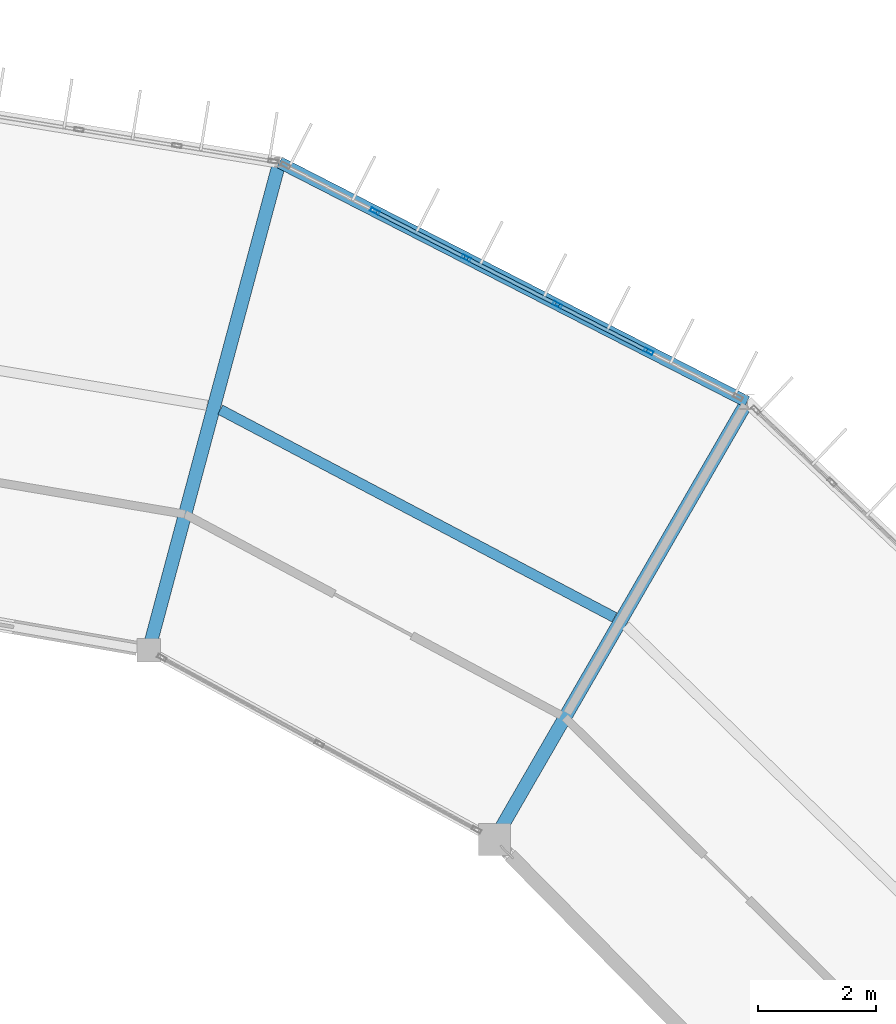
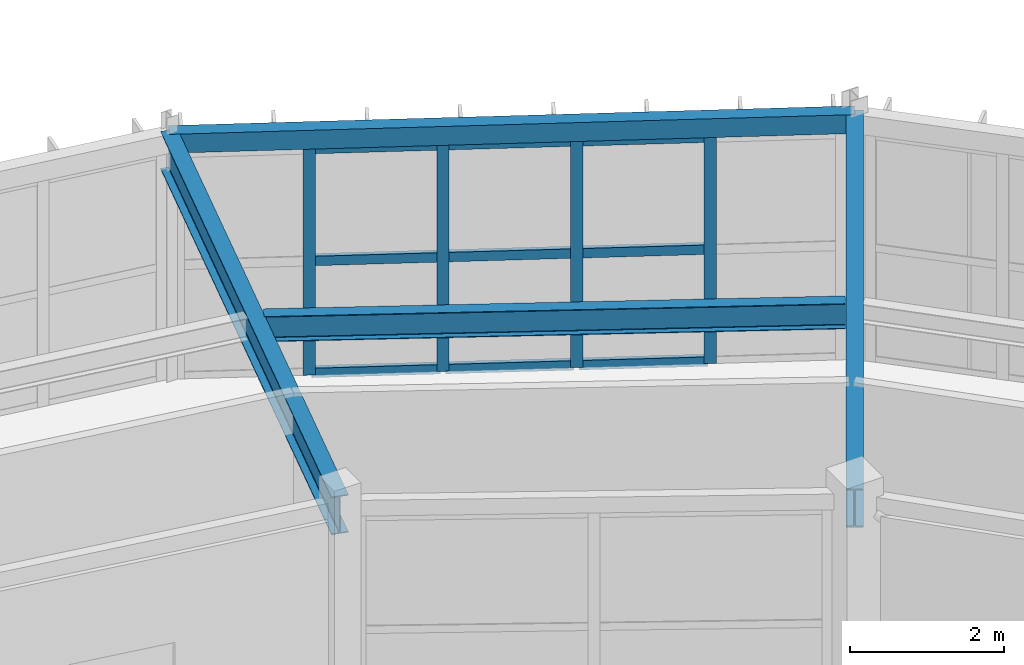
# One storey, part 78 of 130: 13 members, 4 beams, 1 element without a shape of its own.
"""IFC4 building model written with IfcOpenShell, lengths in metres."""

from ifc_helpers import new_model, si_unit, direction, frame, origin, origin_2d, place, context, subcontext, project, spatial, hollow_rectangle, i_section, extrude, material, material_profile, profile_set, type_object, element, aggregate, save


model = new_model("IFC4")

# Units and contexts
model_context = context("Model", 3, precision=1e-05, world=origin(), true_north=direction((0.0, 1.0)))
body_context = subcontext(model_context, "Body", "Model", "MODEL_VIEW")
ifc_project = project(units=[si_unit("LENGTHUNIT", "METRE"), si_unit("AREAUNIT", "SQUARE_METRE"), si_unit("VOLUMEUNIT", "CUBIC_METRE"), si_unit("PLANEANGLEUNIT", "RADIAN"), si_unit("MASSUNIT", "GRAM", prefix="KILO")], contexts=[model_context])

# Site, building, storey
site_placement = place(None, origin())
site = spatial("IfcSite", under=ifc_project, at=site_placement, CompositionType="ELEMENT")
building_placement = place(site_placement, origin())
building = spatial("IfcBuilding", under=site, at=building_placement, Name="Karori Crest Natural Sciences Institute", CompositionType="ELEMENT")
storey_placement = place(building_placement, frame((0.0, 0.0, 17.5)))
storey = spatial("IfcBuildingStorey", under=building, at=storey_placement, Name="L04", CompositionType="ELEMENT", Elevation=17.5)

# Beams
ifc_material_1 = material(Name="Structural steel AS/NZS 3679.1 Grade 350", Category="steel")
ifc_material_profile_1 = material_profile(ifc_material_1, i_section(OverallWidth=0.22900390625, OverallDepth=0.612060546875, WebThickness=0.011962890625, FlangeThickness=0.01953125, FilletRadius=0.013916015625, at=origin_2d()), Name="610UB125")
ifc_profile_set_1 = profile_set([ifc_material_profile_1], Name="Structural steel AS/NZS 3679.1 Grade 350")
beam_type_1 = type_object("IfcBeamType", Name="BT-04", PredefinedType="BEAM", material=ifc_profile_set_1)
beam_1_placement = place(storey_placement, frame((78.60009765625, 77.785888671875, 3.634033203125), z_axis=(0.499973925258, 0.86604045752, 0.0), x_axis=(-0.86604045752, 0.499973925258, 0.0)))
element("IfcBeam", 1, at=beam_1_placement, inside=storey, type_object=beam_type_1, Name="Beam B-0467", PredefinedType="BEAM", context=body_context, shape_type="SweptSolid", body=[
    extrude(i_section(OverallWidth=0.22900390625, OverallDepth=0.612060546875, WebThickness=0.011962890625, FlangeThickness=0.01953125, FilletRadius=0.013916015625, at=origin_2d()), origin(), (0.0, 0.0, 1.0), 8.60009765625),
])
ifc_material_2 = material(Name="Hollow structural steel AS/NZS 1163 Grade C350", Category="steel")
ifc_material_profile_2 = material_profile(ifc_material_2, hollow_rectangle(XDim=0.199951171875, YDim=0.300048828125, WallThickness=0.010009765625, at=origin_2d()), Name="RHS300x200x10")
ifc_profile_set_2 = profile_set([ifc_material_profile_2], Name="Hollow structural steel AS/NZS 1163 Grade C350")
beam_type_2 = type_object("IfcBeamType", Name="BT-15", PredefinedType="SPANDREL", material=ifc_profile_set_2)
beam_2_placement = place(storey_placement, frame((82.89990234375, 85.23388671875, 3.7900390625), z_axis=(-0.890071733872, 0.455820478436, 0.0), x_axis=(-0.455820478436, -0.890071733872, 0.0)))
element("IfcBeam", 2, at=beam_2_placement, inside=storey, type_object=beam_type_2, Name="Beam B-0465", PredefinedType="SPANDREL", context=body_context, shape_type="SweptSolid", body=[
    extrude(hollow_rectangle(XDim=0.199951171875, YDim=0.300048828125, WallThickness=0.010009765625, at=origin_2d()), origin(), (0.0, 0.0, 1.0), 8.94189453125),
])
ifc_material_profile_3 = material_profile(ifc_material_1, i_section(OverallWidth=0.22802734375, OverallDepth=0.60205078125, WebThickness=0.010498046875, FlangeThickness=0.014892578125, FilletRadius=0.013916015625, at=origin_2d()), Name="610UB101")
ifc_profile_set_3 = profile_set([ifc_material_profile_3], Name="Structural steel AS/NZS 3679.1 Grade 350")
beam_type_3 = type_object("IfcBeamType", Name="BT-27", PredefinedType="BEAM", material=ifc_profile_set_3)
beam_3_placement = place(storey_placement, frame((72.715087890625, 81.002685546875, 3.638916015625), z_axis=(0.258812709002, 0.96592752402, 0.0), x_axis=(-0.96592752402, 0.258812709002, 0.0)))
element("IfcBeam", 3, at=beam_3_placement, inside=storey, type_object=beam_type_3, Name="Beam B-0471", PredefinedType="BEAM", context=body_context, shape_type="SweptSolid", body=[
    extrude(i_section(OverallWidth=0.22802734375, OverallDepth=0.60205078125, WebThickness=0.010498046875, FlangeThickness=0.014892578125, FilletRadius=0.013916015625, at=origin_2d()), origin(), (0.0, 0.0, 1.0), 8.60009765625),
])
ifc_material_profile_4 = material_profile(ifc_material_1, i_section(OverallWidth=0.177978515625, OverallDepth=0.403076171875, WebThickness=0.007568359375, FlangeThickness=0.010986328125, FilletRadius=0.010986328125, at=origin_2d()), Name="410UB53.7")
ifc_profile_set_4 = profile_set([ifc_material_profile_4], Name="Structural steel AS/NZS 3679.1 Grade 350")
beam_type_4 = type_object("IfcBeamType", Name="BT-29", PredefinedType="BEAM", material=ifc_profile_set_4)
beam_4_placement = place(storey_placement, frame((80.643798828125, 81.56591796875, 3.738525390625), z_axis=(-0.884748465601, 0.466068828197, 0.0), x_axis=(-0.466068828197, -0.884748465601, 0.0)))
element("IfcBeam", 4, at=beam_4_placement, inside=storey, type_object=beam_type_4, Name="Beam B-0468", PredefinedType="BEAM", context=body_context, shape_type="SweptSolid", body=[
    extrude(i_section(OverallWidth=0.177978515625, OverallDepth=0.403076171875, WebThickness=0.007568359375, FlangeThickness=0.010986328125, FilletRadius=0.010986328125, at=origin_2d()), origin(), (0.0, 0.0, 1.0), 7.58349609375),
])

# Curtain wall, members
ifc_material_3 = material(Name="Anodised architectural aluminium 6063-T6", Category="aluminium")
curtain_wall_type = type_object("IfcCurtainWallType", Name="CWT-05", PredefinedType="NOTDEFINED", material=ifc_material_3)
curtain_wall_placement = place(storey_placement, origin())
curtain_wall = element("IfcCurtainWall", 5, at=curtain_wall_placement, inside=storey, type_object=curtain_wall_type, Name="Curtain wall CW-0142", PredefinedType="NOTDEFINED")
ifc_material_profile_5 = material_profile(ifc_material_3, hollow_rectangle(XDim=0.06494140625, YDim=0.159912109375, WallThickness=0.00390625, at=origin_2d()), Name="CWM160x65x4")
ifc_profile_set_5 = profile_set([ifc_material_profile_5], Name="Anodised architectural aluminium 6063-T6")
member_type_1 = type_object("IfcMemberType", Name="CWM-01", PredefinedType="MULLION", material=ifc_profile_set_5)
member_1_placement = place(storey_placement, frame((76.56787109375, 88.4765625, 0.0), z_axis=(0.0, 0.0, 1.0), x_axis=(0.455828878252, 0.890067432138, 0.0)))
member_1 = element("IfcMember", 6, at=member_1_placement, type_object=member_type_1, Name="CW-0142 mullion 2", PredefinedType="MULLION", context=body_context, shape_type="SweptSolid", body=[
    extrude(hollow_rectangle(XDim=0.06494140625, YDim=0.159912109375, WallThickness=0.00390625, at=origin_2d()), origin(), (0.0, 0.0, 1.0), 3.625),
])
member_2_placement = place(storey_placement, frame((78.11962890625, 87.681884765625, 0.0), z_axis=(0.0, 0.0, 1.0), x_axis=(0.455828878252, 0.890067432138, 0.0)))
member_2 = element("IfcMember", 7, at=member_2_placement, type_object=member_type_1, Name="CW-0142 mullion 3", PredefinedType="MULLION", context=body_context, shape_type="SweptSolid", body=[
    extrude(hollow_rectangle(XDim=0.06494140625, YDim=0.159912109375, WallThickness=0.00390625, at=origin_2d()), origin(), (0.0, 0.0, 1.0), 3.625),
])
member_3_placement = place(storey_placement, frame((79.67138671875, 86.88720703125, 0.0), z_axis=(0.0, 0.0, 1.0), x_axis=(0.455828878252, 0.890067432138, 0.0)))
member_3 = element("IfcMember", 8, at=member_3_placement, type_object=member_type_1, Name="CW-0142 mullion 4", PredefinedType="MULLION", context=body_context, shape_type="SweptSolid", body=[
    extrude(hollow_rectangle(XDim=0.06494140625, YDim=0.159912109375, WallThickness=0.00390625, at=origin_2d()), origin(), (0.0, 0.0, 1.0), 3.625),
])
member_4_placement = place(storey_placement, frame((81.22314453125, 86.092529296875, 0.0), z_axis=(0.0, 0.0, 1.0), x_axis=(0.455828878252, 0.890067432138, 0.0)))
member_4 = element("IfcMember", 9, at=member_4_placement, type_object=member_type_1, Name="CW-0142 mullion 5", PredefinedType="MULLION", context=body_context, shape_type="SweptSolid", body=[
    extrude(hollow_rectangle(XDim=0.06494140625, YDim=0.159912109375, WallThickness=0.00390625, at=origin_2d()), origin(), (0.0, 0.0, 1.0), 3.625),
])
ifc_material_profile_6 = material_profile(ifc_material_3, hollow_rectangle(XDim=0.06494140625, YDim=0.14990234375, WallThickness=0.00390625, at=origin_2d()), Name="CWT150x65x4")
ifc_profile_set_6 = profile_set([ifc_material_profile_6], Name="Anodised architectural aluminium 6063-T6")
member_type_2 = type_object("IfcMemberType", Name="CWT-TR2", PredefinedType="USERDEFINED", material=ifc_profile_set_6)
member_5_placement = place(storey_placement, frame((76.596923828125, 88.4619140625, 0.032470703125), z_axis=(0.890050562189, -0.455861817601, 0.0), x_axis=(0.455861817601, 0.890050562189, 0.0)))
member_5 = element("IfcMember", 10, at=member_5_placement, type_object=member_type_2, Name="CW-0142 transom 2.1", ObjectType="TRANSOM", PredefinedType="USERDEFINED", context=body_context, shape_type="SweptSolid", body=[
    extrude(hollow_rectangle(XDim=0.06494140625, YDim=0.14990234375, WallThickness=0.00390625, at=origin_2d()), origin(), (0.0, 0.0, 1.0), 1.678466796875),
])
member_6_placement = place(storey_placement, frame((76.596923828125, 88.4619140625, 1.8125), z_axis=(0.890050562189, -0.455861817601, 0.0), x_axis=(0.455861817601, 0.890050562189, 0.0)))
member_6 = element("IfcMember", 11, at=member_6_placement, type_object=member_type_2, Name="CW-0142 transom 2.2", ObjectType="TRANSOM", PredefinedType="USERDEFINED", context=body_context, shape_type="SweptSolid", body=[
    extrude(hollow_rectangle(XDim=0.06494140625, YDim=0.14990234375, WallThickness=0.00390625, at=origin_2d()), origin(), (0.0, 0.0, 1.0), 1.678466796875),
])
member_7_placement = place(storey_placement, frame((76.596923828125, 88.4619140625, 3.592529296875), z_axis=(0.890050562189, -0.455861817601, 0.0), x_axis=(0.455861817601, 0.890050562189, 0.0)))
member_7 = element("IfcMember", 12, at=member_7_placement, type_object=member_type_2, Name="CW-0142 transom 2.3", ObjectType="TRANSOM", PredefinedType="USERDEFINED", context=body_context, shape_type="SweptSolid", body=[
    extrude(hollow_rectangle(XDim=0.06494140625, YDim=0.14990234375, WallThickness=0.00390625, at=origin_2d()), origin(), (0.0, 0.0, 1.0), 1.678466796875),
])
member_8_placement = place(storey_placement, frame((78.148681640625, 87.667236328125, 0.032470703125), z_axis=(0.890020328927, -0.455920841919, 0.0), x_axis=(0.455920841919, 0.890020328927, 0.0)))
member_8 = element("IfcMember", 13, at=member_8_placement, type_object=member_type_2, Name="CW-0142 transom 3.1", ObjectType="TRANSOM", PredefinedType="USERDEFINED", context=body_context, shape_type="SweptSolid", body=[
    extrude(hollow_rectangle(XDim=0.06494140625, YDim=0.14990234375, WallThickness=0.00390625, at=origin_2d()), origin(), (0.0, 0.0, 1.0), 1.67822265625),
])
member_9_placement = place(storey_placement, frame((78.148681640625, 87.667236328125, 1.8125), z_axis=(0.890020328927, -0.455920841919, 0.0), x_axis=(0.455920841919, 0.890020328927, 0.0)))
member_9 = element("IfcMember", 14, at=member_9_placement, type_object=member_type_2, Name="CW-0142 transom 3.2", ObjectType="TRANSOM", PredefinedType="USERDEFINED", context=body_context, shape_type="SweptSolid", body=[
    extrude(hollow_rectangle(XDim=0.06494140625, YDim=0.14990234375, WallThickness=0.00390625, at=origin_2d()), origin(), (0.0, 0.0, 1.0), 1.67822265625),
])
member_10_placement = place(storey_placement, frame((78.148681640625, 87.667236328125, 3.592529296875), z_axis=(0.890020328927, -0.455920841919, 0.0), x_axis=(0.455920841919, 0.890020328927, 0.0)))
member_10 = element("IfcMember", 15, at=member_10_placement, type_object=member_type_2, Name="CW-0142 transom 3.3", ObjectType="TRANSOM", PredefinedType="USERDEFINED", context=body_context, shape_type="SweptSolid", body=[
    extrude(hollow_rectangle(XDim=0.06494140625, YDim=0.14990234375, WallThickness=0.00390625, at=origin_2d()), origin(), (0.0, 0.0, 1.0), 1.67822265625),
])
member_11_placement = place(storey_placement, frame((79.7001953125, 86.87255859375, 0.032470703125), z_axis=(0.890050562189, -0.455861817601, 0.0), x_axis=(0.455861817601, 0.890050562189, 0.0)))
member_11 = element("IfcMember", 16, at=member_11_placement, type_object=member_type_2, Name="CW-0142 transom 4.1", ObjectType="TRANSOM", PredefinedType="USERDEFINED", context=body_context, shape_type="SweptSolid", body=[
    extrude(hollow_rectangle(XDim=0.06494140625, YDim=0.14990234375, WallThickness=0.00390625, at=origin_2d()), origin(), (0.0, 0.0, 1.0), 1.678466796875),
])
member_12_placement = place(storey_placement, frame((79.7001953125, 86.87255859375, 1.8125), z_axis=(0.890050562189, -0.455861817601, 0.0), x_axis=(0.455861817601, 0.890050562189, 0.0)))
member_12 = element("IfcMember", 17, at=member_12_placement, type_object=member_type_2, Name="CW-0142 transom 4.2", ObjectType="TRANSOM", PredefinedType="USERDEFINED", context=body_context, shape_type="SweptSolid", body=[
    extrude(hollow_rectangle(XDim=0.06494140625, YDim=0.14990234375, WallThickness=0.00390625, at=origin_2d()), origin(), (0.0, 0.0, 1.0), 1.678466796875),
])
member_13_placement = place(storey_placement, frame((79.7001953125, 86.87255859375, 3.592529296875), z_axis=(0.890050562189, -0.455861817601, 0.0), x_axis=(0.455861817601, 0.890050562189, 0.0)))
member_13 = element("IfcMember", 18, at=member_13_placement, type_object=member_type_2, Name="CW-0142 transom 4.3", ObjectType="TRANSOM", PredefinedType="USERDEFINED", context=body_context, shape_type="SweptSolid", body=[
    extrude(hollow_rectangle(XDim=0.06494140625, YDim=0.14990234375, WallThickness=0.00390625, at=origin_2d()), origin(), (0.0, 0.0, 1.0), 1.678466796875),
])
aggregate(curtain_wall, [member_1, member_2, member_3, member_4, member_5, member_6, member_7, member_8, member_9, member_10, member_11, member_12, member_13])

save(model, "model.ifc")
